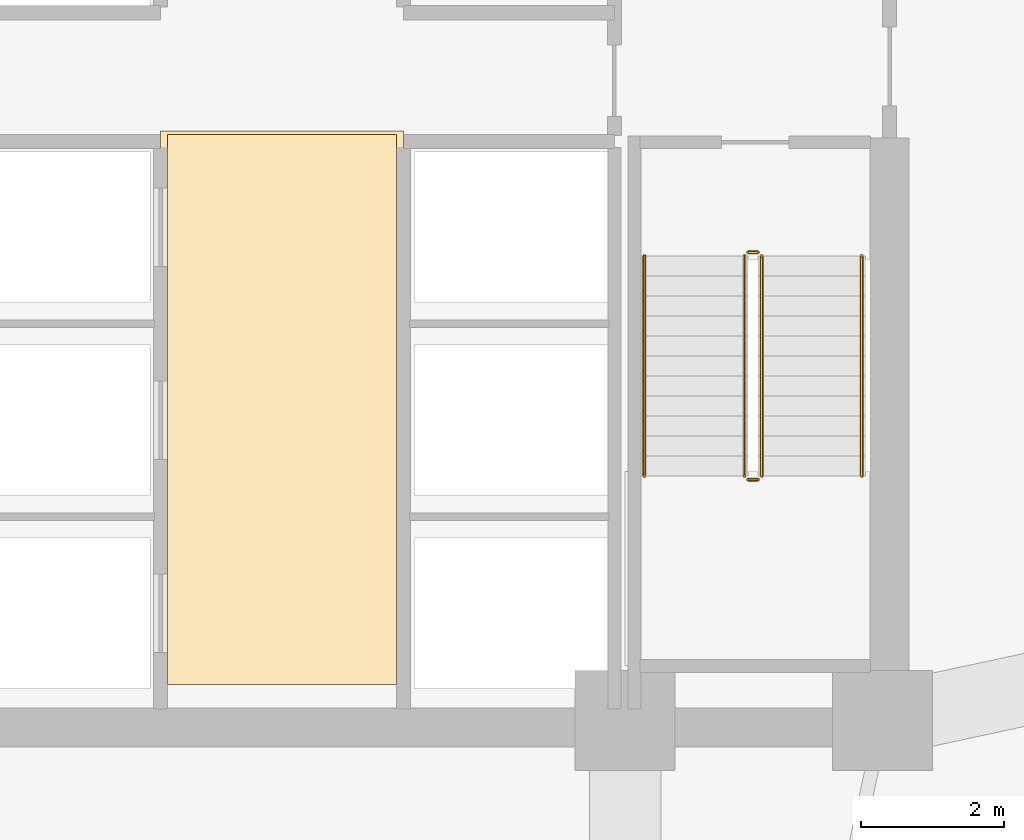
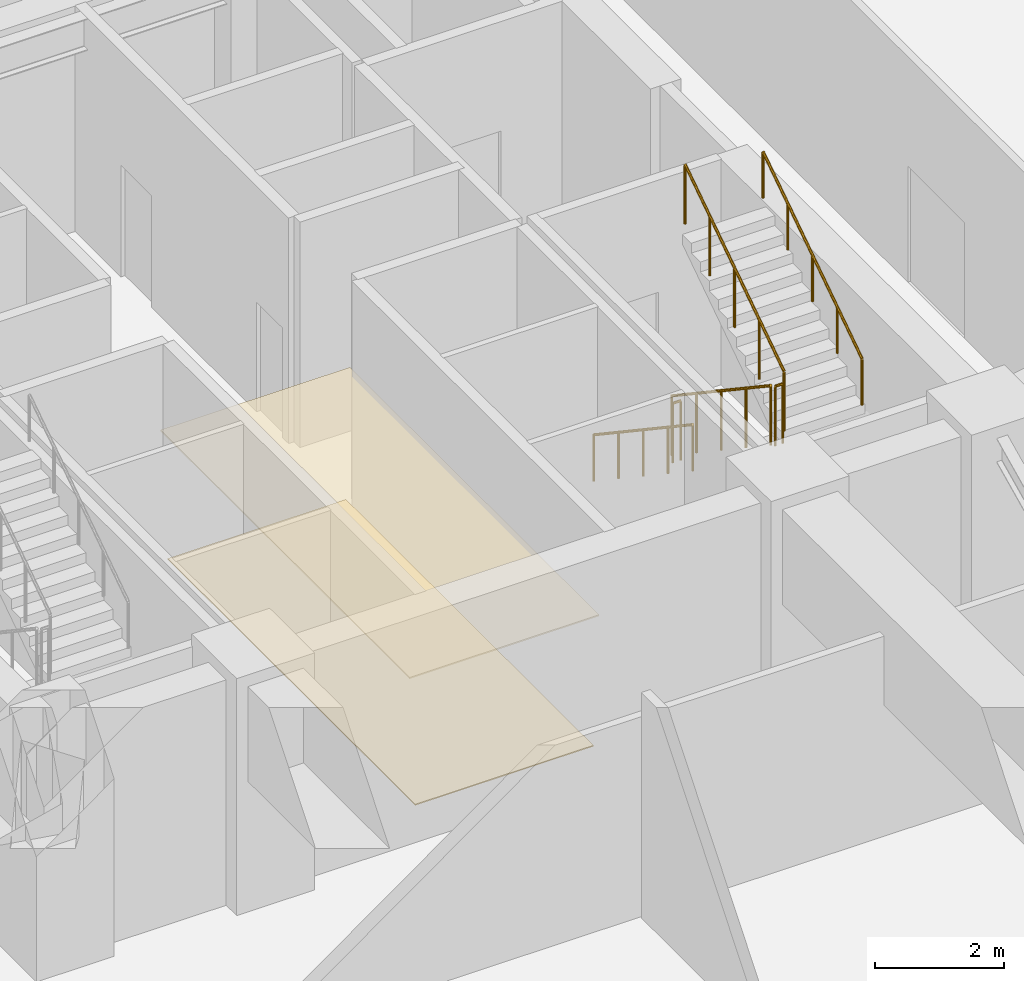
# One storey, part 16 of 19: 6 railings, 2 coverings.
"""IFC4 building model written with IfcOpenShell, lengths in metres."""

from ifc_helpers import new_model, si_unit, direction, frame, origin, origin_2d, place, context, subcontext, project, spatial, polyline, circle, outline, extrude, material, layer, layer_set, type_object, element, save


model = new_model("IFC4")

# Units and contexts
model_context = context("Model", 3, precision=1e-05, world=origin(), true_north=direction((0.0, 1.0)))
body_context = subcontext(model_context, "Body", "Model", "MODEL_VIEW")
ifc_project = project(units=[si_unit("LENGTHUNIT", "METRE"), si_unit("AREAUNIT", "SQUARE_METRE"), si_unit("VOLUMEUNIT", "CUBIC_METRE"), si_unit("PLANEANGLEUNIT", "RADIAN"), si_unit("MASSUNIT", "GRAM", prefix="KILO")], contexts=[model_context])

# Site, building, storey
site_placement = place(None, origin())
site = spatial("IfcSite", under=ifc_project, at=site_placement, CompositionType="ELEMENT")
building_placement = place(site_placement, origin())
building = spatial("IfcBuilding", under=site, at=building_placement, Name="Cairnveth Concourse Tower", CompositionType="ELEMENT")
storey_placement = place(building_placement, frame((0.0, 0.0, 19.0)))
storey = spatial("IfcBuildingStorey", under=building, at=storey_placement, Name="L04", CompositionType="ELEMENT", Elevation=19.0)

# Covering
ifc_material_1 = material(Name="Acoustic Mineral Fibre Ceiling", Category="gypsum")
ifc_layer_1 = layer(ifc_material_1, 0.02490234375)
ifc_layer_set_1 = layer_set([ifc_layer_1], Name="Acoustic Mineral Fibre Ceiling")
covering_type_1 = type_object("IfcCoveringType", Name="ACOUSTIC MINERAL FIBRE CEILING 25", PredefinedType="CEILING", material=ifc_layer_set_1)
covering_1_placement = place(storey_placement, frame((0.0, 0.0, 2.43994140625)))
element("IfcCovering", 1, at=covering_1_placement, inside=storey, type_object=covering_type_1, Name="Lift Lobby Acoustic Ceiling L04", PredefinedType="CEILING", context=body_context, shape_type="SweptSolid", body=[
    extrude(outline(polyline([(50.300048828125, 31.10009765625), (53.699951171875, 31.10009765625), (53.699951171875, 38.85009765625), (50.300048828125, 38.85009765625), (50.300048828125, 31.10009765625)])), origin(), (0.0, 0.0, 1.0), 0.025146484375),
])

# Railings
ifc_material_2 = material(Name="Steel Grade 350", Category="steel")
railing_type_1 = type_object("IfcRailingType", Name="STAIR GUARDRAIL 1150", PredefinedType="GUARDRAIL", material=ifc_material_2)
railing_1_placement = place(storey_placement, frame((58.469970703125, 37.10009765625, 0.1875)))
element("IfcRailing", 2, at=railing_1_placement, inside=storey, type_object=railing_type_1, Name="L04 ST-2 stair guard 1", PredefinedType="GUARDRAIL", context=body_context, shape_type="SweptSolid", body=[
    extrude(circle(Radius=0.02392578125, at=origin_2d()), frame((0.0, 0.0, 1.1259765625), z_axis=(0.0, -0.830913701846, 0.55640131208), x_axis=(1.0, 0.0, 0.0)), (0.0, 0.0, 1.0), 3.706787109375),
    extrude(circle(Radius=0.02099609375, at=origin_2d()), origin(), (0.0, 0.0, 1.0), 1.101806640625),
    extrude(circle(Radius=0.02099609375, at=origin_2d()), frame((0.0, -0.77001953125, 0.515625)), (0.0, 0.0, 1.0), 1.101806640625),
    extrude(circle(Radius=0.02099609375, at=origin_2d()), frame((0.0, -1.5400390625, 1.03125)), (0.0, 0.0, 1.0), 1.101806640625),
    extrude(circle(Radius=0.02099609375, at=origin_2d()), frame((0.0, -2.31005859375, 1.546875)), (0.0, 0.0, 1.0), 1.101806640625),
    extrude(circle(Radius=0.02099609375, at=origin_2d()), frame((0.0, -3.080078125, 2.0625)), (0.0, 0.0, 1.0), 1.101806640625),
])
railing_2_placement = place(storey_placement, frame((58.52001953125, 33.969970703125, 2.25)))
element("IfcRailing", 3, at=railing_2_placement, inside=storey, type_object=railing_type_1, Name="L04 ST-2 stair guard 2", PredefinedType="GUARDRAIL", context=body_context, shape_type="SweptSolid", body=[
    extrude(circle(Radius=0.02392578125, at=origin_2d()), frame((0.0, 0.0, 1.1259765625), z_axis=(1.0, 0.0, 0.0), x_axis=(0.0, 1.0, 0.0)), (0.0, 0.0, 1.0), 0.139892578125),
    extrude(circle(Radius=0.02099609375, at=origin_2d()), origin(), (0.0, 0.0, 1.0), 1.101806640625),
    extrude(circle(Radius=0.02099609375, at=origin_2d()), frame((0.139892578125, 0.0, 0.0)), (0.0, 0.0, 1.0), 1.101806640625),
])
railing_3_placement = place(storey_placement, frame((58.7099609375, 34.02001953125, 2.4375)))
element("IfcRailing", 4, at=railing_3_placement, inside=storey, type_object=railing_type_1, Name="L04 ST-2 stair guard 3", PredefinedType="GUARDRAIL", context=body_context, shape_type="SweptSolid", body=[
    extrude(circle(Radius=0.02392578125, at=origin_2d()), frame((0.0, 0.0, 1.1259765625), z_axis=(0.0, 0.830913701846, 0.55640131208), x_axis=(-1.0, 0.0, 0.0)), (0.0, 0.0, 1.0), 3.706787109375),
    extrude(circle(Radius=0.02099609375, at=origin_2d()), origin(), (0.0, 0.0, 1.0), 1.101806640625),
    extrude(circle(Radius=0.02099609375, at=origin_2d()), frame((0.0, 0.77001953125, 0.515625)), (0.0, 0.0, 1.0), 1.101806640625),
    extrude(circle(Radius=0.02099609375, at=origin_2d()), frame((0.0, 1.5400390625, 1.03125)), (0.0, 0.0, 1.0), 1.101806640625),
    extrude(circle(Radius=0.02099609375, at=origin_2d()), frame((0.0, 2.31005859375, 1.546875)), (0.0, 0.0, 1.0), 1.101806640625),
    extrude(circle(Radius=0.02099609375, at=origin_2d()), frame((0.0, 3.080078125, 2.0625)), (0.0, 0.0, 1.0), 1.101806640625),
])
railing_4_placement = place(storey_placement, frame((58.52001953125, 37.14990234375, 0.0)))
element("IfcRailing", 5, at=railing_4_placement, inside=storey, type_object=railing_type_1, Name="L04 ST-2 stair guard 4", PredefinedType="GUARDRAIL", context=body_context, shape_type="SweptSolid", body=[
    extrude(circle(Radius=0.02392578125, at=origin_2d()), frame((0.0, 0.0, 1.1259765625), z_axis=(1.0, 0.0, 0.0), x_axis=(0.0, 1.0, 0.0)), (0.0, 0.0, 1.0), 0.139892578125),
    extrude(circle(Radius=0.02099609375, at=origin_2d()), origin(), (0.0, 0.0, 1.0), 1.101806640625),
    extrude(circle(Radius=0.02099609375, at=origin_2d()), frame((0.139892578125, 0.0, 0.0)), (0.0, 0.0, 1.0), 1.101806640625),
])
railing_type_2 = type_object("IfcRailingType", Name="STAIR WALL HANDRAIL 900", PredefinedType="HANDRAIL", material=ifc_material_2)
railing_5_placement = place(storey_placement, frame((57.070068359375, 37.10009765625, 0.1875)))
element("IfcRailing", 6, at=railing_5_placement, inside=storey, type_object=railing_type_2, Name="L04 ST-2 stair handrail 1", PredefinedType="HANDRAIL", context=body_context, shape_type="SweptSolid", body=[
    extrude(circle(Radius=0.02392578125, at=origin_2d()), frame((0.0, 0.0, 0.8759765625), z_axis=(0.0, -0.830913701846, 0.55640131208), x_axis=(1.0, 0.0, 0.0)), (0.0, 0.0, 1.0), 3.706787109375),
    extrude(circle(Radius=0.02099609375, at=origin_2d()), origin(), (0.0, 0.0, 1.0), 0.851806640625),
    extrude(circle(Radius=0.02099609375, at=origin_2d()), frame((0.0, -0.77001953125, 0.515625)), (0.0, 0.0, 1.0), 0.851806640625),
    extrude(circle(Radius=0.02099609375, at=origin_2d()), frame((0.0, -1.5400390625, 1.03125)), (0.0, 0.0, 1.0), 0.851806640625),
    extrude(circle(Radius=0.02099609375, at=origin_2d()), frame((0.0, -2.31005859375, 1.546875)), (0.0, 0.0, 1.0), 0.851806640625),
    extrude(circle(Radius=0.02099609375, at=origin_2d()), frame((0.0, -3.080078125, 2.0625)), (0.0, 0.0, 1.0), 0.851806640625),
])
railing_6_placement = place(storey_placement, frame((60.110107421875, 34.02001953125, 2.4375)))
element("IfcRailing", 7, at=railing_6_placement, inside=storey, type_object=railing_type_2, Name="L04 ST-2 stair handrail 2", PredefinedType="HANDRAIL", context=body_context, shape_type="SweptSolid", body=[
    extrude(circle(Radius=0.02392578125, at=origin_2d()), frame((0.0, 0.0, 0.8759765625), z_axis=(0.0, 0.830913701846, 0.55640131208), x_axis=(-1.0, 0.0, 0.0)), (0.0, 0.0, 1.0), 3.706787109375),
    extrude(circle(Radius=0.02099609375, at=origin_2d()), origin(), (0.0, 0.0, 1.0), 0.851806640625),
    extrude(circle(Radius=0.02099609375, at=origin_2d()), frame((0.0, 0.77001953125, 0.515625)), (0.0, 0.0, 1.0), 0.851806640625),
    extrude(circle(Radius=0.02099609375, at=origin_2d()), frame((0.0, 1.5400390625, 1.03125)), (0.0, 0.0, 1.0), 0.851806640625),
    extrude(circle(Radius=0.02099609375, at=origin_2d()), frame((0.0, 2.31005859375, 1.546875)), (0.0, 0.0, 1.0), 0.851806640625),
    extrude(circle(Radius=0.02099609375, at=origin_2d()), frame((0.0, 3.080078125, 2.0625)), (0.0, 0.0, 1.0), 0.851806640625),
])

# Covering
ifc_material_3 = material(Name="Vitrified Stoneware Tile Flooring", Category="masonry")
ifc_layer_2 = layer(ifc_material_3, 0.02001953125)
ifc_layer_set_2 = layer_set([ifc_layer_2], Name="Vitrified Stoneware Tile Flooring")
covering_type_2 = type_object("IfcCoveringType", Name="VITRIFIED STONEWARE LOBBY FLOORING 20", PredefinedType="FLOORING", material=ifc_layer_set_2)
covering_2_placement = place(storey_placement, origin())
element("IfcCovering", 8, at=covering_2_placement, inside=storey, type_object=covering_type_2, Name="Lift Lobby Stoneware Flooring L04", PredefinedType="FLOORING", context=body_context, shape_type="SweptSolid", body=[
    extrude(outline(polyline([(50.39990234375, 31.10009765625), (53.60009765625, 31.10009765625), (53.60009765625, 38.800048828125), (50.39990234375, 38.800048828125), (50.39990234375, 31.10009765625)])), origin(), (0.0, 0.0, 1.0), 0.02001953125),
])

save(model, "model.ifc")
